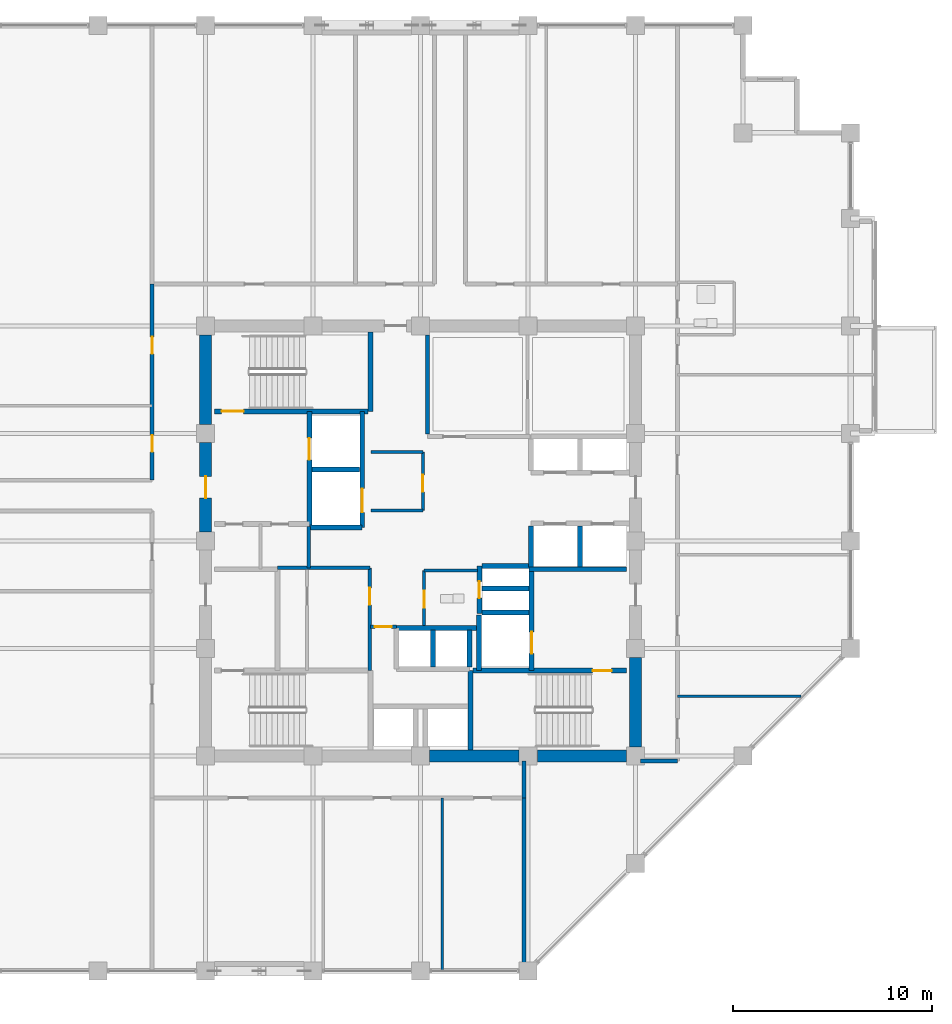
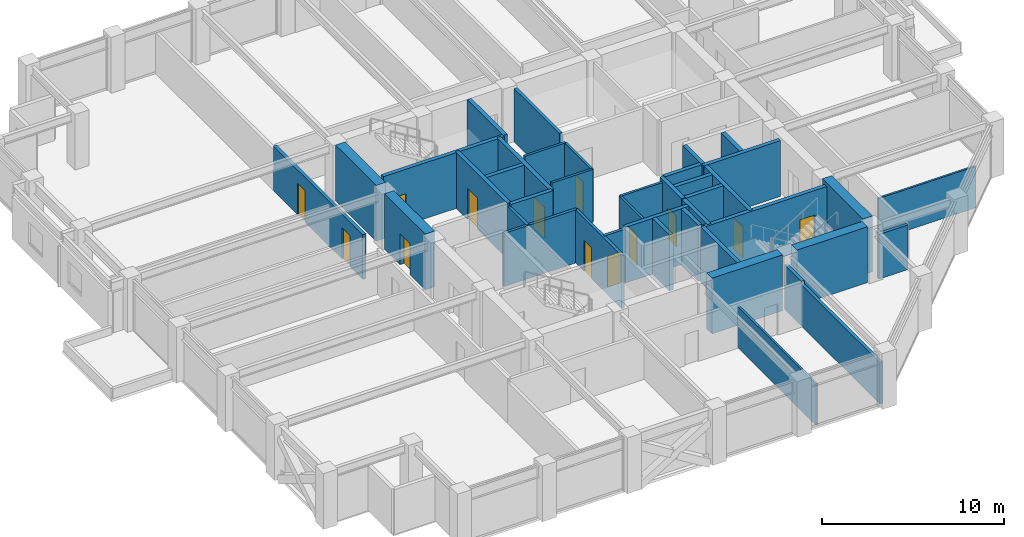
# One storey, part 23 of 28: 41 walls, 13 doors, 13 openings.
"""IFC4 building model written with IfcOpenShell, lengths in metres."""

from ifc_helpers import new_model, si_unit, direction, frame, frame_2d, origin, place, context, subcontext, project, spatial, rectangle, extrude, material, layer, layer_set, type_object, element, fill, save


model = new_model("IFC4")

# Units and contexts
model_context = context("Model", 3, precision=1e-05, world=origin(), true_north=direction((0.0, 1.0)))
body_context = subcontext(model_context, "Body", "Model", "MODEL_VIEW")
ifc_project = project(units=[si_unit("LENGTHUNIT", "METRE"), si_unit("AREAUNIT", "SQUARE_METRE"), si_unit("VOLUMEUNIT", "CUBIC_METRE"), si_unit("PLANEANGLEUNIT", "RADIAN"), si_unit("MASSUNIT", "GRAM", prefix="KILO")], contexts=[model_context])

# Site, building, storey
site_placement = place(None, origin())
site = spatial("IfcSite", under=ifc_project, at=site_placement, CompositionType="ELEMENT")
building_placement = place(site_placement, origin())
building = spatial("IfcBuilding", under=site, at=building_placement, Name="Surkhivell Harbour Commons", CompositionType="ELEMENT")
storey_placement = place(building_placement, frame((0.0, 0.0, 182.25)))
storey = spatial("IfcBuildingStorey", under=building, at=storey_placement, Name="L47", CompositionType="ELEMENT", Elevation=182.25)

# Walls
ifc_material_1 = material(Name="Concrete C60/75", Category="concrete")
ifc_layer_1 = layer(ifc_material_1, 0.60009765625)
ifc_layer_set_1 = layer_set([ifc_layer_1], Name="Concrete C60/75")
wall_type_1 = type_object("IfcWallType", Name="WAL-CORE-600", PredefinedType="SHEAR", material=ifc_layer_set_1)
for number, where, z_axis, x_axis, name in (
    (1, (10.800048828125, -10.340087890625, 0.0), (0.0, 0.0, 1.0), (0.0, 1.0, 0.0), "L47 Core Shear Wall East 1"),
    (2, (0.4599609375, -10.800048828125, 0.0), (0.0, 0.0, 1.0), (1.0, 0.0, 0.0), "L47 Core Shear Wall South 3"),
):
    element("IfcWall", number, at=place(storey_placement, frame(where, z_axis=z_axis, x_axis=x_axis)), inside=storey, type_object=wall_type_1, Name=name, PredefinedType="SHEAR", context=body_context, shape_type="SweptSolid", body=[
        extrude(rectangle(XDim=4.47998046875, YDim=0.60009765625, at=frame_2d((2.239990234375, 0.0))), origin(), (0.0, 0.0, 1.0), 3.75),
    ])

# Wall, opening, door
wall_1_placement = place(storey_placement, frame((-10.800048828125, 0.4599609375, 0.0), z_axis=(0.0, 0.0, 1.0), x_axis=(0.0, 1.0, 0.0)))
wall_1 = element("IfcWall", 3, at=wall_1_placement, inside=storey, type_object=wall_type_1, Name="L47 Core Shear Wall West 3", PredefinedType="SHEAR", context=body_context, shape_type="SweptSolid", body=[
    extrude(rectangle(XDim=4.47998046875, YDim=0.60009765625, at=frame_2d((2.239990234375, 0.0))), origin(), (0.0, 0.0, 1.0), 3.75),
])
opening_1_placement = place(wall_1_placement, frame((1.68994140625, 0.0, 0.0)))
opening_1 = element("IfcOpeningElement", 4, at=opening_1_placement, cuts=wall_1, Name="Opening ID-1", PredefinedType="OPENING", context=body_context, shape_type="SweptSolid", body=[
    extrude(rectangle(XDim=1.10009765625, YDim=2.10009765625, at=frame_2d((0.550048828125, 1.050048828125))), frame((0.0, 0.31005859375, 0.0), z_axis=(0.0, -1.0, 0.0), x_axis=(1.0, 0.0, 0.0)), (0.0, 0.0, 1.0), 0.6201171875),
])
ifc_material_2 = material(Name="Hardwood-veneered fire-rated door leaf", Category="wood")
door_type_1 = type_object("IfcDoorType", Name="DOR-FD120-1100", OperationType="NOTDEFINED", PredefinedType="DOOR", material=ifc_material_2)
door_1_placement = place(opening_1_placement, origin())
door_1 = element("IfcDoor", 5, at=door_1_placement, inside=storey, type_object=door_type_1, Name="L47 Firefighting Lobby 1 Corridor Door", OperationType="SINGLE_SWING_LEFT", OverallHeight=2.10009765625, OverallWidth=1.10009765625, PredefinedType="DOOR", context=body_context, shape_type="SweptSolid", body=[
    extrude(rectangle(XDim=1.10009765625, YDim=2.10009765625, at=frame_2d((0.550048828125, 1.050048828125))), frame((0.0, 0.02490234375, 0.0), z_axis=(0.0, -1.0, 0.0), x_axis=(1.0, 0.0, 0.0)), (0.0, 0.0, 1.0), 0.050048828125),
])
fill(opening_1, door_1)

# Walls
for number, where, z_axis, x_axis, name in (
    (6, (5.860107421875, -10.800048828125, 0.0), (0.0, 0.0, 1.0), (1.0, 0.0, 0.0), "L47 Core Shear Wall South 4"),
    (7, (-10.800048828125, 5.860107421875, 0.0), (0.0, 0.0, 1.0), (0.0, 1.0, 0.0), "L47 Core Shear Wall West 4"),
):
    element("IfcWall", number, at=place(storey_placement, frame(where, z_axis=z_axis, x_axis=x_axis)), inside=storey, type_object=wall_type_1, Name=name, PredefinedType="SHEAR", context=body_context, shape_type="SweptSolid", body=[
        extrude(rectangle(XDim=4.47998046875, YDim=0.60009765625, at=frame_2d((2.239990234375, 0.0))), origin(), (0.0, 0.0, 1.0), 3.75),
    ])
ifc_material_3 = material(Name="Moisture-resistant acoustic stud partition", Category="other")
ifc_layer_2 = layer(ifc_material_3, 0.125)
ifc_layer_set_2 = layer_set([ifc_layer_2], Name="Moisture-resistant acoustic stud partition")
wall_type_2 = type_object("IfcWallType", Name="WAL-INT-125", PredefinedType="PARTITIONING", material=ifc_layer_set_2)
wall_2_placement = place(storey_placement, frame((12.89990234375, -7.800048828125, 0.0), z_axis=(0.0, 0.0, 1.0), x_axis=(1.0, 0.0, 0.0)))
element("IfcWall", 8, at=wall_2_placement, inside=storey, type_object=wall_type_2, Name="L47 East Partition PBOT", PredefinedType="PARTITIONING", context=body_context, shape_type="SweptSolid", body=[
    extrude(rectangle(XDim=6.21533203125, YDim=0.125, at=frame_2d((3.107666015625, 0.0))), origin(), (0.0, 0.0, 1.0), 2.780029296875),
])
wall_3_placement = place(storey_placement, frame((1.090087890625, -21.5400390625, 0.0), z_axis=(0.0, 0.0, 1.0), x_axis=(0.0, 1.0, 0.0)))
element("IfcWall", 9, at=wall_3_placement, inside=storey, type_object=wall_type_2, Name="L47 South Partition P2", PredefinedType="PARTITIONING", context=body_context, shape_type="SweptSolid", body=[
    extrude(rectangle(XDim=8.64013671875, YDim=0.125, at=frame_2d((4.320068359375, 0.0))), origin(), (0.0, 0.0, 1.0), 2.780029296875),
])
ifc_material_4 = material(Name="Twin-stud acoustic fireboard partition", Category="other")
ifc_layer_3 = layer(ifc_material_4, 0.14990234375)
ifc_layer_set_3 = layer_set([ifc_layer_3], Name="Twin-stud acoustic fireboard partition")
wall_type_3 = type_object("IfcWallType", Name="WAL-INT-150", PredefinedType="PARTITIONING", material=ifc_layer_set_3)
wall_4_placement = place(storey_placement, frame((0.179931640625, -1.47998046875, 0.0), z_axis=(0.0, 0.0, 1.0), x_axis=(1.0, 0.0, 0.0)))
element("IfcWall", 10, at=wall_4_placement, inside=storey, type_object=wall_type_3, Name="L47 Core Accessible WC North Wall", PredefinedType="PARTITIONING", context=body_context, shape_type="SweptSolid", body=[
    extrude(rectangle(XDim=2.670166015625, YDim=0.14990234375, at=frame_2d((1.3349609375, 0.0))), origin(), (0.0, 0.0, 1.0), 3.570068359375),
])

# Wall, opening, door
wall_5_placement = place(storey_placement, frame((0.179931640625, -4.25, 0.0), z_axis=(0.0, 0.0, 1.0), x_axis=(0.0, 1.0, 0.0)))
wall_5 = element("IfcWall", 11, at=wall_5_placement, inside=storey, type_object=wall_type_3, Name="L47 Core Accessible WC West Wall", PredefinedType="PARTITIONING", context=body_context, shape_type="SweptSolid", body=[
    extrude(rectangle(XDim=2.77001953125, YDim=0.14990234375, at=frame_2d((1.385009765625, 0.0))), origin(), (0.0, 0.0, 1.0), 3.570068359375),
])
opening_2_placement = place(wall_5_placement, frame((0.89990234375, 0.0, 0.0)))
opening_2 = element("IfcOpeningElement", 12, at=opening_2_placement, cuts=wall_5, Name="Opening ID-6", PredefinedType="OPENING", context=body_context, shape_type="SweptSolid", body=[
    extrude(rectangle(XDim=0.85009765625, YDim=2.10009765625, at=frame_2d((0.425048828125, 1.050048828125))), frame((0.0, 0.0849609375, 0.0), z_axis=(0.0, -1.0, 0.0), x_axis=(1.0, 0.0, 0.0)), (0.0, 0.0, 1.0), 0.169921875),
])
door_type_2 = type_object("IfcDoorType", Name="DOR-FD30-850", OperationType="NOTDEFINED", PredefinedType="DOOR", material=ifc_material_2)
door_2_placement = place(opening_2_placement, origin())
door_2 = element("IfcDoor", 13, at=door_2_placement, inside=storey, type_object=door_type_2, Name="L47 Floor Accessible WC Door", OperationType="SINGLE_SWING_LEFT", OverallHeight=2.10009765625, OverallWidth=0.85009765625, PredefinedType="DOOR", context=body_context, shape_type="SweptSolid", body=[
    extrude(rectangle(XDim=0.85009765625, YDim=2.10009765625, at=frame_2d((0.425048828125, 1.050048828125))), frame((0.0, 0.02490234375, 0.0), z_axis=(0.0, -1.0, 0.0), x_axis=(1.0, 0.0, 0.0)), (0.0, 0.0, 1.0), 0.050048828125),
])
fill(opening_2, door_2)

wall_6_placement = place(storey_placement, frame((0.1201171875, 1.52001953125, 0.0), z_axis=(0.0, 0.0, 1.0), x_axis=(0.0, 1.0, 0.0)))
wall_6 = element("IfcWall", 14, at=wall_6_placement, inside=storey, type_object=wall_type_3, Name="L47 Central Reading East Wall", PredefinedType="PARTITIONING", context=body_context, shape_type="SweptSolid", body=[
    extrude(rectangle(XDim=2.9599609375, YDim=0.14990234375, at=frame_2d((1.47998046875, 0.0))), origin(), (0.0, 0.0, 1.0), 3.570068359375),
])
opening_3_placement = place(wall_6_placement, frame((0.949951171875, 0.0, 0.0)))
opening_3 = element("IfcOpeningElement", 15, at=opening_3_placement, cuts=wall_6, Name="Opening ID-6", PredefinedType="OPENING", context=body_context, shape_type="SweptSolid", body=[
    extrude(rectangle(XDim=0.85009765625, YDim=2.10009765625, at=frame_2d((0.425048828125, 1.050048828125))), frame((0.0, 0.0849609375, 0.0), z_axis=(0.0, -1.0, 0.0), x_axis=(1.0, 0.0, 0.0)), (0.0, 0.0, 1.0), 0.169921875),
])
door_3_placement = place(opening_3_placement, origin())
door_3 = element("IfcDoor", 16, at=door_3_placement, inside=storey, type_object=door_type_2, Name="L47 Central Core Reading Door", OperationType="SINGLE_SWING_RIGHT", OverallHeight=2.10009765625, OverallWidth=0.85009765625, PredefinedType="DOOR", context=body_context, shape_type="SweptSolid", body=[
    extrude(rectangle(XDim=0.85009765625, YDim=2.10009765625, at=frame_2d((0.425048828125, 1.050048828125))), frame((0.0, 0.02490234375, 0.0), z_axis=(0.0, -1.0, 0.0), x_axis=(1.0, 0.0, 0.0)), (0.0, 0.0, 1.0), 0.050048828125),
])
fill(opening_3, door_3)

# Walls
for number, where, z_axis, x_axis, name in (
    (17, (-2.47998046875, 4.47998046875, 0.0), (0.0, 0.0, 1.0), (1.0, 0.0, 0.0), "L47 Central Reading North Wall"),
    (18, (-2.47998046875, 1.52001953125, 0.0), (0.0, 0.0, 1.0), (1.0, 0.0, 0.0), "L47 Central Reading South Wall"),
):
    element("IfcWall", number, at=place(storey_placement, frame(where, z_axis=z_axis, x_axis=x_axis)), inside=storey, type_object=wall_type_3, Name=name, PredefinedType="PARTITIONING", context=body_context, shape_type="SweptSolid", body=[
        extrude(rectangle(XDim=2.60009765625, YDim=0.14990234375, at=frame_2d((1.300048828125, 0.0))), origin(), (0.0, 0.0, 1.0), 3.570068359375),
    ])

# Wall, opening, door
ifc_material_5 = material(Name="High-density acoustic blockwork fire partition", Category="masonry")
ifc_layer_4 = layer(ifc_material_5, 0.175048828125)
ifc_layer_set_4 = layer_set([ifc_layer_4], Name="High-density acoustic blockwork fire partition")
wall_type_4 = type_object("IfcWallType", Name="WAL-INT-175", PredefinedType="PARTITIONING", material=ifc_layer_set_4)
wall_7_placement = place(storey_placement, frame((-2.550048828125, -6.510009765625, 0.0), z_axis=(0.0, 0.0, 1.0), x_axis=(0.0, 1.0, 0.0)))
wall_7 = element("IfcWall", 19, at=wall_7_placement, inside=storey, type_object=wall_type_4, Name="L47 Core Service Bay East Wall", PredefinedType="PARTITIONING", context=body_context, shape_type="SweptSolid", body=[
    extrude(rectangle(XDim=5.159912109375, YDim=0.175048828125, at=frame_2d((2.580078125, 0.0))), origin(), (0.0, 0.0, 1.0), 3.570068359375),
])
opening_4_placement = place(wall_7_placement, frame((3.300048828125, 0.0, 0.0)))
opening_4 = element("IfcOpeningElement", 20, at=opening_4_placement, cuts=wall_7, Name="Opening ID-6", PredefinedType="OPENING", context=body_context, shape_type="SweptSolid", body=[
    extrude(rectangle(XDim=0.85009765625, YDim=2.10009765625, at=frame_2d((0.425048828125, 1.050048828125))), frame((0.0, 0.097412109375, 0.0), z_axis=(0.0, -1.0, 0.0), x_axis=(1.0, 0.0, 0.0)), (0.0, 0.0, 1.0), 0.195068359375),
])
door_4_placement = place(opening_4_placement, origin())
door_4 = element("IfcDoor", 21, at=door_4_placement, inside=storey, type_object=door_type_2, Name="L47 Core Music Door", OperationType="SINGLE_SWING_LEFT", OverallHeight=2.10009765625, OverallWidth=0.85009765625, PredefinedType="DOOR", context=body_context, shape_type="SweptSolid", body=[
    extrude(rectangle(XDim=0.85009765625, YDim=2.10009765625, at=frame_2d((0.425048828125, 1.050048828125))), frame((0.0, 0.02490234375, 0.0), z_axis=(0.0, -1.0, 0.0), x_axis=(1.0, 0.0, 0.0)), (0.0, 0.0, 1.0), 0.050048828125),
])
fill(opening_4, door_4)

# Walls
wall_8_placement = place(storey_placement, frame((-7.179931640625, -1.35009765625, 0.0), z_axis=(0.0, 0.0, 1.0), x_axis=(1.0, 0.0, 0.0)))
element("IfcWall", 22, at=wall_8_placement, inside=storey, type_object=wall_type_4, Name="L47 Core Service Bay North Wall", PredefinedType="PARTITIONING", context=body_context, shape_type="SweptSolid", body=[
    extrude(rectangle(XDim=4.6298828125, YDim=0.175048828125, at=frame_2d((2.31494140625, 0.0))), origin(), (0.0, 0.0, 1.0), 3.570068359375),
])
wall_9_placement = place(storey_placement, frame((-5.6201171875, -1.35009765625, 0.0), z_axis=(0.0, 0.0, 1.0), x_axis=(0.0, 1.0, 0.0)))
element("IfcWall", 23, at=wall_9_placement, inside=storey, type_object=wall_type_4, Name="L47 West Core Bay East Wall", PredefinedType="PARTITIONING", context=body_context, shape_type="SweptSolid", body=[
    extrude(rectangle(XDim=2.070068359375, YDim=0.175048828125, at=frame_2d((1.03515625, 0.0))), origin(), (0.0, 0.0, 1.0), 3.570068359375),
])

# Wall, opening, door
wall_10_placement = place(storey_placement, frame((-2.52001953125, -4.320068359375, 0.0), z_axis=(0.0, 0.0, 1.0), x_axis=(1.0, 0.0, 0.0)))
wall_10 = element("IfcWall", 24, at=wall_10_placement, inside=storey, type_object=wall_type_4, Name="L47 High-Rise Lobby North Portal Wall", PredefinedType="PARTITIONING", context=body_context, shape_type="SweptSolid", body=[
    extrude(rectangle(XDim=1.300048828125, YDim=0.175048828125, at=frame_2d((0.64990234375, 0.0))), origin(), (0.0, 0.0, 1.0), 3.570068359375),
])
opening_5_placement = place(wall_10_placement, frame((0.219970703125, 0.0, 0.0)))
opening_5 = element("IfcOpeningElement", 25, at=opening_5_placement, cuts=wall_10, Name="Opening ID-6", PredefinedType="OPENING", context=body_context, shape_type="SweptSolid", body=[
    extrude(rectangle(XDim=0.85009765625, YDim=2.10009765625, at=frame_2d((0.425048828125, 1.050048828125))), frame((0.0, 0.097412109375, 0.0), z_axis=(0.0, -1.0, 0.0), x_axis=(1.0, 0.0, 0.0)), (0.0, 0.0, 1.0), 0.195068359375),
])
door_5_placement = place(opening_5_placement, origin())
door_5 = element("IfcDoor", 26, at=door_5_placement, inside=storey, type_object=door_type_2, Name="L47 High-Rise Lift Lobby North Door", OperationType="SINGLE_SWING_LEFT", OverallHeight=2.10009765625, OverallWidth=0.85009765625, PredefinedType="DOOR", context=body_context, shape_type="SweptSolid", body=[
    extrude(rectangle(XDim=0.85009765625, YDim=2.10009765625, at=frame_2d((0.425048828125, 1.050048828125))), frame((0.0, 0.02490234375, 0.0), z_axis=(0.0, -1.0, 0.0), x_axis=(1.0, 0.0, 0.0)), (0.0, 0.0, 1.0), 0.050048828125),
])
fill(opening_5, door_5)

# Walls
ifc_material_6 = material(Name="Autoclaved aerated concrete blockwork and fire plaster", Category="masonry")
ifc_layer_5 = layer(ifc_material_6, 0.199951171875)
ifc_layer_set_5 = layer_set([ifc_layer_5], Name="Autoclaved aerated concrete blockwork and fire plaster")
wall_type_5 = type_object("IfcWallType", Name="WAL-INT-200", PredefinedType="PARTITIONING", material=ifc_layer_set_5)
wall_11_placement = place(storey_placement, frame((0.35009765625, 5.360107421875, 0.0), z_axis=(0.0, 0.0, 1.0), x_axis=(0.0, 1.0, 0.0)))
element("IfcWall", 27, at=wall_11_placement, inside=storey, type_object=wall_type_5, Name="L47 Reclaimed Core North Bay West Wall", PredefinedType="PARTITIONING", context=body_context, shape_type="SweptSolid", body=[
    extrude(rectangle(XDim=4.97998046875, YDim=0.199951171875, at=frame_2d((2.489990234375, 0.0))), origin(), (0.0, 0.0, 1.0), 3.570068359375),
])
wall_12_placement = place(storey_placement, frame((5.199951171875, -21.5400390625, 0.0), z_axis=(0.0, 0.0, 1.0), x_axis=(0.0, 1.0, 0.0)))
element("IfcWall", 28, at=wall_12_placement, inside=storey, type_object=wall_type_5, Name="L47 South-East Corner Wall", PredefinedType="PARTITIONING", context=body_context, shape_type="SweptSolid", body=[
    extrude(rectangle(XDim=8.64013671875, YDim=0.199951171875, at=frame_2d((4.320068359375, 0.0))), origin(), (0.0, 0.0, 1.0), 2.780029296875),
])
for number, where, z_axis, x_axis, name in (
    (29, (11.0400390625, -11.0400390625, 0.0), (0.0, 0.0, 1.0), (1.0, 0.0, 0.0), "L47 Corridor East South Closure Wall"),
    (30, (5.199951171875, -12.89990234375, 0.0), (0.0, 0.0, 1.0), (0.0, 1.0, 0.0), "L47 Corridor South End Wall"),
):
    element("IfcWall", number, at=place(storey_placement, frame(where, z_axis=z_axis, x_axis=x_axis)), inside=storey, type_object=wall_type_5, Name=name, PredefinedType="PARTITIONING", context=body_context, shape_type="SweptSolid", body=[
        extrude(rectangle(XDim=1.85986328125, YDim=0.199951171875, at=frame_2d((0.929931640625, 0.0))), origin(), (0.0, 0.0, 1.0), 3.006103515625),
    ])

# Wall, openings, doors
wall_13_placement = place(storey_placement, frame((-13.47998046875, 3.050048828125, 0.0), z_axis=(0.0, 0.0, 1.0), x_axis=(0.0, 1.0, 0.0)))
wall_13 = element("IfcWall", 31, at=wall_13_placement, inside=storey, type_object=wall_type_5, Name="L47 Corridor West-Upper Wall", PredefinedType="PARTITIONING", context=body_context, shape_type="SweptSolid", body=[
    extrude(rectangle(XDim=9.849853515625, YDim=0.199951171875, at=frame_2d((4.9248046875, 0.0))), origin(), (0.0, 0.0, 1.0), 3.006103515625),
])
opening_6_placement = place(wall_13_placement, frame((1.419921875, 0.0, 0.0)))
opening_6 = element("IfcOpeningElement", 32, at=opening_6_placement, cuts=wall_13, Name="Opening ID-6", PredefinedType="OPENING", context=body_context, shape_type="SweptSolid", body=[
    extrude(rectangle(XDim=0.85009765625, YDim=2.10009765625, at=frame_2d((0.425048828125, 1.050048828125))), frame((0.0, 0.10986328125, 0.0), z_axis=(0.0, -1.0, 0.0), x_axis=(1.0, 0.0, 0.0)), (0.0, 0.0, 1.0), 0.219970703125),
])
opening_7_placement = place(wall_13_placement, frame((6.344970703125, 0.0, 0.0)))
opening_7 = element("IfcOpeningElement", 33, at=opening_7_placement, cuts=wall_13, Name="Opening ID-6", PredefinedType="OPENING", context=body_context, shape_type="SweptSolid", body=[
    extrude(rectangle(XDim=0.85009765625, YDim=2.10009765625, at=frame_2d((0.425048828125, 1.050048828125))), frame((0.0, 0.10986328125, 0.0), z_axis=(0.0, -1.0, 0.0), x_axis=(1.0, 0.0, 0.0)), (0.0, 0.0, 1.0), 0.219970703125),
])
door_6_placement = place(opening_6_placement, origin())
door_6 = element("IfcDoor", 34, at=door_6_placement, inside=storey, type_object=door_type_2, Name="L47 Harbour Reading Library North-West Door", OperationType="SINGLE_SWING_LEFT", OverallHeight=2.10009765625, OverallWidth=0.85009765625, PredefinedType="DOOR", context=body_context, shape_type="SweptSolid", body=[
    extrude(rectangle(XDim=0.85009765625, YDim=2.10009765625, at=frame_2d((0.425048828125, 1.050048828125))), frame((0.0, 0.02490234375, 0.0), z_axis=(0.0, -1.0, 0.0), x_axis=(1.0, 0.0, 0.0)), (0.0, 0.0, 1.0), 0.050048828125),
])
fill(opening_6, door_6)
door_7_placement = place(opening_7_placement, origin())
door_7 = element("IfcDoor", 35, at=door_7_placement, inside=storey, type_object=door_type_2, Name="L47 Communal Dining Hall North-West Door", OperationType="SINGLE_SWING_RIGHT", OverallHeight=2.10009765625, OverallWidth=0.85009765625, PredefinedType="DOOR", context=body_context, shape_type="SweptSolid", body=[
    extrude(rectangle(XDim=0.85009765625, YDim=2.10009765625, at=frame_2d((0.425048828125, 1.050048828125))), frame((0.0, 0.02490234375, 0.0), z_axis=(0.0, -1.0, 0.0), x_axis=(1.0, 0.0, 0.0)), (0.0, 0.0, 1.0), 0.050048828125),
])
fill(opening_7, door_7)

# Wall, opening, door
ifc_material_7 = material(Name="Concrete C50/60", Category="concrete")
ifc_layer_6 = layer(ifc_material_7, 0.25)
ifc_layer_set_6 = layer_set([ifc_layer_6], Name="Concrete C50/60")
wall_type_6 = type_object("IfcWallType", Name="WAL-SHAFT-250", PredefinedType="SHEAR", material=ifc_layer_set_6)
wall_14_placement = place(storey_placement, frame((-5.580078125, 0.719970703125, 0.0), z_axis=(0.0, 0.0, 1.0), x_axis=(0.0, 1.0, 0.0)))
wall_14 = element("IfcWall", 36, at=wall_14_placement, inside=storey, type_object=wall_type_6, Name="L47 Firefighting Lobby 1 East Shaft Wall", PredefinedType="SHEAR", context=body_context, shape_type="SweptSolid", body=[
    extrude(rectangle(XDim=5.7900390625, YDim=0.25, at=frame_2d((2.89501953125, 0.0))), origin(), (0.0, 0.0, 1.0), 3.75),
])
opening_8_placement = place(wall_14_placement, frame((3.35009765625, 0.0, 0.0)))
opening_8 = element("IfcOpeningElement", 37, at=opening_8_placement, cuts=wall_14, Name="Opening LD-1", PredefinedType="OPENING", context=body_context, shape_type="SweptSolid", body=[
    extrude(rectangle(XDim=1.10009765625, YDim=2.10009765625, at=frame_2d((0.550048828125, 1.050048828125))), frame((0.0, 0.135009765625, 0.0), z_axis=(0.0, -1.0, 0.0), x_axis=(1.0, 0.0, 0.0)), (0.0, 0.0, 1.0), 0.27001953125),
])
ifc_material_8 = material(Name="Brushed stainless steel S355", Category="steel")
door_type_3 = type_object("IfcDoorType", Name="DOR-LD-1100", OperationType="SLIDING_TO_LEFT", PredefinedType="DOOR", material=ifc_material_8)
door_8_placement = place(opening_8_placement, origin())
door_8 = element("IfcDoor", 38, at=door_8_placement, inside=storey, type_object=door_type_3, Name="L47 Lift Landing Door LD-FFL1", OperationType="SLIDING_TO_LEFT", OverallHeight=2.10009765625, OverallWidth=1.10009765625, PredefinedType="DOOR", context=body_context, shape_type="SweptSolid", body=[
    extrude(rectangle(XDim=1.10009765625, YDim=2.10009765625, at=frame_2d((0.550048828125, 1.050048828125))), frame((0.0, 0.02490234375, 0.0), z_axis=(0.0, -1.0, 0.0), x_axis=(1.0, 0.0, 0.0)), (0.0, 0.0, 1.0), 0.050048828125),
])
fill(opening_8, door_8)

# Walls
wall_15_placement = place(storey_placement, frame((2.929931640625, -6.510009765625, 0.0), z_axis=(0.0, 0.0, 1.0), x_axis=(0.0, 1.0, 0.0)))
element("IfcWall", 39, at=wall_15_placement, inside=storey, type_object=wall_type_6, Name="L47 FFL2 West Shaft Wall", PredefinedType="SHEAR", context=body_context, shape_type="SweptSolid", body=[
    extrude(rectangle(XDim=2.7900390625, YDim=0.25, at=frame_2d((1.39501953125, 0.0))), origin(), (0.0, 0.0, 1.0), 3.75),
])
wall_16_placement = place(storey_placement, frame((5.43994140625, -1.419921875, 0.0), z_axis=(0.0, 0.0, 1.0), x_axis=(1.0, 0.0, 0.0)))
element("IfcWall", 40, at=wall_16_placement, inside=storey, type_object=wall_type_6, Name="L47 Firefighting Lobby 2 North Wall", PredefinedType="SHEAR", context=body_context, shape_type="SweptSolid", body=[
    extrude(rectangle(XDim=4.900146484375, YDim=0.25, at=frame_2d((2.4501953125, 0.0))), origin(), (0.0, 0.0, 1.0), 3.75),
])
wall_17_placement = place(storey_placement, frame((3.080078125, -3.60009765625, 0.0), z_axis=(0.0, 0.0, 1.0), x_axis=(1.0, 0.0, 0.0)))
element("IfcWall", 41, at=wall_17_placement, inside=storey, type_object=wall_type_6, Name="L47 FFL2 North Shaft Wall", PredefinedType="SHEAR", context=body_context, shape_type="SweptSolid", body=[
    extrude(rectangle(XDim=2.369873046875, YDim=0.25, at=frame_2d((1.18505859375, 0.0))), origin(), (0.0, 0.0, 1.0), 3.75),
])

# Wall, opening, door
wall_18_placement = place(storey_placement, frame((5.580078125, -6.510009765625, 0.0), z_axis=(0.0, 0.0, 1.0), x_axis=(0.0, 1.0, 0.0)))
wall_18 = element("IfcWall", 42, at=wall_18_placement, inside=storey, type_object=wall_type_6, Name="L47 Firefighting Lobby 2 West Shaft Wall", PredefinedType="SHEAR", context=body_context, shape_type="SweptSolid", body=[
    extrude(rectangle(XDim=5.090087890625, YDim=0.25, at=frame_2d((2.544921875, 0.0))), origin(), (0.0, 0.0, 1.0), 3.75),
])
opening_9_placement = place(wall_18_placement, frame((0.85009765625, 0.0, 0.0)))
opening_9 = element("IfcOpeningElement", 43, at=opening_9_placement, cuts=wall_18, Name="Opening LD-1", PredefinedType="OPENING", context=body_context, shape_type="SweptSolid", body=[
    extrude(rectangle(XDim=1.10009765625, YDim=2.10009765625, at=frame_2d((0.550048828125, 1.050048828125))), frame((0.0, 0.135009765625, 0.0), z_axis=(0.0, -1.0, 0.0), x_axis=(1.0, 0.0, 0.0)), (0.0, 0.0, 1.0), 0.27001953125),
])
door_9_placement = place(opening_9_placement, origin())
door_9 = element("IfcDoor", 44, at=door_9_placement, inside=storey, type_object=door_type_3, Name="L47 Lift Landing Door LD-FFL2", OperationType="SLIDING_TO_RIGHT", OverallHeight=2.10009765625, OverallWidth=1.10009765625, PredefinedType="DOOR", context=body_context, shape_type="SweptSolid", body=[
    extrude(rectangle(XDim=1.10009765625, YDim=2.10009765625, at=frame_2d((0.550048828125, 1.050048828125))), frame((0.0, 0.02490234375, 0.0), z_axis=(0.0, -1.0, 0.0), x_axis=(1.0, 0.0, 0.0)), (0.0, 0.0, 1.0), 0.050048828125),
])
fill(opening_9, door_9)

# Walls
for number, where, z_axis, x_axis, name in (
    (45, (0.6201171875, -6.340087890625, 0.0), (0.0, 0.0, 1.0), (0.0, 1.0, 0.0), "L47 High-Rise Side Wall N"),
    (46, (2.449951171875, -6.340087890625, 0.0), (0.0, 0.0, 1.0), (0.0, 1.0, 0.0), "L47 High-Rise Side Wall N"),
):
    element("IfcWall", number, at=place(storey_placement, frame(where, z_axis=z_axis, x_axis=x_axis)), inside=storey, type_object=wall_type_6, Name=name, PredefinedType="SHEAR", context=body_context, shape_type="SweptSolid", body=[
        extrude(rectangle(XDim=1.880126953125, YDim=0.25, at=frame_2d((0.93994140625, 0.0))), origin(), (0.0, 0.0, 1.0), 3.75),
    ])
wall_19_placement = place(storey_placement, frame((-1.219970703125, -4.360107421875, 0.0), z_axis=(0.0, 0.0, 1.0), x_axis=(1.0, 0.0, 0.0)))
element("IfcWall", 47, at=wall_19_placement, inside=storey, type_object=wall_type_6, Name="L47 High-Rise North Back Shaft Wall", PredefinedType="SHEAR", context=body_context, shape_type="SweptSolid", body=[
    extrude(rectangle(XDim=4.030029296875, YDim=0.25, at=frame_2d((2.01513671875, 0.0))), origin(), (0.0, 0.0, 1.0), 3.75),
])
for number, where, z_axis, x_axis, name in (
    (48, (5.550048828125, -1.300048828125, 0.0), (0.0, 0.0, 1.0), (0.0, 1.0, 0.0), "L47 Mid-Rise Shaft Side Wall S"),
    (49, (8.0, -1.300048828125, 0.0), (0.0, 0.0, 1.0), (0.0, 1.0, 0.0), "L47 Mid-Rise Shaft Side Wall S"),
):
    element("IfcWall", number, at=place(storey_placement, frame(where, z_axis=z_axis, x_axis=x_axis)), inside=storey, type_object=wall_type_6, Name=name, PredefinedType="SHEAR", context=body_context, shape_type="SweptSolid", body=[
        extrude(rectangle(XDim=2.0400390625, YDim=0.25, at=frame_2d((1.02001953125, 0.0))), origin(), (0.0, 0.0, 1.0), 3.75),
    ])
for number, where, z_axis, x_axis, name in (
    (50, (3.080078125, -2.3798828125, 0.0), (0.0, 0.0, 1.0), (1.0, 0.0, 0.0), "L47 Riser Divider Wall"),
    (51, (3.080078125, -1.25, 0.0), (0.0, 0.0, 1.0), (1.0, 0.0, 0.0), "L47 Riser North Wall"),
):
    element("IfcWall", number, at=place(storey_placement, frame(where, z_axis=z_axis, x_axis=x_axis)), inside=storey, type_object=wall_type_6, Name=name, PredefinedType="SHEAR", context=body_context, shape_type="SweptSolid", body=[
        extrude(rectangle(XDim=2.369873046875, YDim=0.25, at=frame_2d((1.18505859375, 0.0))), origin(), (0.0, 0.0, 1.0), 3.75),
    ])

# Wall, opening, door
wall_20_placement = place(storey_placement, frame((2.949951171875, -3.64990234375, 0.0), z_axis=(0.0, 0.0, 1.0), x_axis=(0.0, 1.0, 0.0)))
wall_20 = element("IfcWall", 52, at=wall_20_placement, inside=storey, type_object=wall_type_6, Name="L47 Riser Shaft West Wall", PredefinedType="SHEAR", context=body_context, shape_type="SweptSolid", body=[
    extrude(rectangle(XDim=2.39990234375, YDim=0.25, at=frame_2d((1.199951171875, 0.0))), origin(), (0.0, 0.0, 1.0), 3.75),
])
opening_10_placement = place(wall_20_placement, frame((0.77490234375, 0.0, 0.0)))
opening_10 = element("IfcOpeningElement", 53, at=opening_10_placement, cuts=wall_20, Name="Opening ID-6", PredefinedType="OPENING", context=body_context, shape_type="SweptSolid", body=[
    extrude(rectangle(XDim=0.85009765625, YDim=2.10009765625, at=frame_2d((0.425048828125, 1.050048828125))), frame((0.0, 0.135009765625, 0.0), z_axis=(0.0, -1.0, 0.0), x_axis=(1.0, 0.0, 0.0)), (0.0, 0.0, 1.0), 0.27001953125),
])
door_10_placement = place(opening_10_placement, origin())
door_10 = element("IfcDoor", 54, at=door_10_placement, inside=storey, type_object=door_type_2, Name="L47 Electrical Riser Access Door", OperationType="SINGLE_SWING_LEFT", OverallHeight=2.10009765625, OverallWidth=0.85009765625, PredefinedType="DOOR", context=body_context, shape_type="SweptSolid", body=[
    extrude(rectangle(XDim=0.85009765625, YDim=2.10009765625, at=frame_2d((0.425048828125, 1.050048828125))), frame((0.0, 0.02490234375, 0.0), z_axis=(0.0, -1.0, 0.0), x_axis=(1.0, 0.0, 0.0)), (0.0, 0.0, 1.0), 0.050048828125),
])
fill(opening_10, door_10)

# Wall
wall_21_placement = place(storey_placement, frame((-2.510009765625, 6.510009765625, 0.0), z_axis=(0.0, 0.0, 1.0), x_axis=(0.0, 1.0, 0.0)))
element("IfcWall", 55, at=wall_21_placement, inside=storey, type_object=wall_type_6, Name="L47 Stair ST1 East Shear Wall", PredefinedType="SHEAR", context=body_context, shape_type="SweptSolid", body=[
    extrude(rectangle(XDim=3.989990234375, YDim=0.25, at=frame_2d((1.9951171875, 0.0))), origin(), (0.0, 0.0, 1.0), 3.75),
])

# Wall, opening, door
wall_22_placement = place(storey_placement, frame((-10.340087890625, 6.510009765625, 0.0), z_axis=(0.0, 0.0, 1.0), x_axis=(1.0, 0.0, 0.0)))
wall_22 = element("IfcWall", 56, at=wall_22_placement, inside=storey, type_object=wall_type_6, Name="L47 Stair ST1 South Shear Wall", PredefinedType="SHEAR", context=body_context, shape_type="SweptSolid", body=[
    extrude(rectangle(XDim=7.7001953125, YDim=0.25, at=frame_2d((3.85009765625, 0.0))), origin(), (0.0, 0.0, 1.0), 3.75),
])
opening_11_placement = place(wall_22_placement, frame((0.35009765625, 0.0, 0.0)))
opening_11 = element("IfcOpeningElement", 57, at=opening_11_placement, cuts=wall_22, Name="Opening ID-2", PredefinedType="OPENING", context=body_context, shape_type="SweptSolid", body=[
    extrude(rectangle(XDim=1.10009765625, YDim=2.10009765625, at=frame_2d((0.550048828125, 1.050048828125))), frame((0.0, 0.135009765625, 0.0), z_axis=(0.0, -1.0, 0.0), x_axis=(1.0, 0.0, 0.0)), (0.0, 0.0, 1.0), 0.27001953125),
])
door_type_4 = type_object("IfcDoorType", Name="DOR-FD60-1100", OperationType="NOTDEFINED", PredefinedType="DOOR", material=ifc_material_2)
door_11_placement = place(opening_11_placement, origin())
door_11 = element("IfcDoor", 58, at=door_11_placement, inside=storey, type_object=door_type_4, Name="L47 Stair ST1 Exit Door", OperationType="SINGLE_SWING_LEFT", OverallHeight=2.10009765625, OverallWidth=1.10009765625, PredefinedType="DOOR", context=body_context, shape_type="SweptSolid", body=[
    extrude(rectangle(XDim=1.10009765625, YDim=2.10009765625, at=frame_2d((0.550048828125, 1.050048828125))), frame((0.0, 0.02490234375, 0.0), z_axis=(0.0, -1.0, 0.0), x_axis=(1.0, 0.0, 0.0)), (0.0, 0.0, 1.0), 0.050048828125),
])
fill(opening_11, door_11)

wall_23_placement = place(storey_placement, frame((2.639892578125, -6.510009765625, 0.0), z_axis=(0.0, 0.0, 1.0), x_axis=(1.0, 0.0, 0.0)))
wall_23 = element("IfcWall", 59, at=wall_23_placement, inside=storey, type_object=wall_type_6, Name="L47 Stair ST2 North Shear Wall", PredefinedType="SHEAR", context=body_context, shape_type="SweptSolid", body=[
    extrude(rectangle(XDim=7.7001953125, YDim=0.25, at=frame_2d((3.85009765625, 0.0))), origin(), (0.0, 0.0, 1.0), 3.75),
])
opening_12_placement = place(wall_23_placement, frame((6.0, 0.0, 0.0)))
opening_12 = element("IfcOpeningElement", 60, at=opening_12_placement, cuts=wall_23, Name="Opening ID-4", PredefinedType="OPENING", context=body_context, shape_type="SweptSolid", body=[
    extrude(rectangle(XDim=0.949951171875, YDim=2.10009765625, at=frame_2d((0.47509765625, 1.050048828125))), frame((0.0, 0.135009765625, 0.0), z_axis=(0.0, -1.0, 0.0), x_axis=(1.0, 0.0, 0.0)), (0.0, 0.0, 1.0), 0.27001953125),
])
door_type_5 = type_object("IfcDoorType", Name="DOR-FD60-950", OperationType="NOTDEFINED", PredefinedType="DOOR", material=ifc_material_2)
door_12_placement = place(opening_12_placement, origin())
door_12 = element("IfcDoor", 61, at=door_12_placement, inside=storey, type_object=door_type_5, Name="L47 Stair ST2 Exit Door", OperationType="SINGLE_SWING_RIGHT", OverallHeight=2.10009765625, OverallWidth=0.949951171875, PredefinedType="DOOR", context=body_context, shape_type="SweptSolid", body=[
    extrude(rectangle(XDim=0.949951171875, YDim=2.10009765625, at=frame_2d((0.47509765625, 1.050048828125))), frame((0.0, 0.02490234375, 0.0), z_axis=(0.0, -1.0, 0.0), x_axis=(1.0, 0.0, 0.0)), (0.0, 0.0, 1.0), 0.050048828125),
])
fill(opening_12, door_12)

# Wall
wall_24_placement = place(storey_placement, frame((2.510009765625, -10.5, 0.0), z_axis=(0.0, 0.0, 1.0), x_axis=(0.0, 1.0, 0.0)))
element("IfcWall", 62, at=wall_24_placement, inside=storey, type_object=wall_type_6, Name="L47 Stair ST2 West Shear Wall", PredefinedType="SHEAR", context=body_context, shape_type="SweptSolid", body=[
    extrude(rectangle(XDim=3.989990234375, YDim=0.25, at=frame_2d((1.9951171875, 0.0))), origin(), (0.0, 0.0, 1.0), 3.75),
])

# Wall, opening, door
wall_25_placement = place(storey_placement, frame((-2.929931640625, 0.679931640625, 0.0), z_axis=(0.0, 0.0, 1.0), x_axis=(0.0, 1.0, 0.0)))
wall_25 = element("IfcWall", 63, at=wall_25_placement, inside=storey, type_object=wall_type_6, Name="L47 Service and Fire Lift East Shaft Wall", PredefinedType="SHEAR", context=body_context, shape_type="SweptSolid", body=[
    extrude(rectangle(XDim=5.830078125, YDim=0.25, at=frame_2d((2.9150390625, 0.0))), origin(), (0.0, 0.0, 1.0), 3.75),
])
opening_13_placement = place(wall_25_placement, frame((0.75, 0.0, 0.0)))
opening_13 = element("IfcOpeningElement", 64, at=opening_13_placement, cuts=wall_25, Name="Opening LD-2", PredefinedType="OPENING", context=body_context, shape_type="SweptSolid", body=[
    extrude(rectangle(XDim=1.199951171875, YDim=2.10009765625, at=frame_2d((0.60009765625, 1.050048828125))), frame((0.0, 0.135009765625, 0.0), z_axis=(0.0, -1.0, 0.0), x_axis=(1.0, 0.0, 0.0)), (0.0, 0.0, 1.0), 0.27001953125),
])
door_type_6 = type_object("IfcDoorType", Name="DOR-LD-1200", OperationType="SLIDING_TO_LEFT", PredefinedType="DOOR", material=ifc_material_8)
door_13_placement = place(opening_13_placement, origin())
door_13 = element("IfcDoor", 65, at=door_13_placement, inside=storey, type_object=door_type_6, Name="L47 Lift Landing Door LD-SVL1", OperationType="SLIDING_TO_LEFT", OverallHeight=2.10009765625, OverallWidth=1.199951171875, PredefinedType="DOOR", context=body_context, shape_type="SweptSolid", body=[
    extrude(rectangle(XDim=1.199951171875, YDim=2.10009765625, at=frame_2d((0.60009765625, 1.050048828125))), frame((0.0, 0.02490234375, 0.0), z_axis=(0.0, -1.0, 0.0), x_axis=(1.0, 0.0, 0.0)), (0.0, 0.0, 1.0), 0.050048828125),
])
fill(opening_13, door_13)

# Walls
wall_26_placement = place(storey_placement, frame((-5.449951171875, 3.60009765625, 0.0), z_axis=(0.0, 0.0, 1.0), x_axis=(1.0, 0.0, 0.0)))
element("IfcWall", 66, at=wall_26_placement, inside=storey, type_object=wall_type_6, Name="L47 FFL1/SVL1 Shaft Divider", PredefinedType="SHEAR", context=body_context, shape_type="SweptSolid", body=[
    extrude(rectangle(XDim=2.389892578125, YDim=0.25, at=frame_2d((1.19482421875, 0.0))), origin(), (0.0, 0.0, 1.0), 3.75),
])
wall_27_placement = place(storey_placement, frame((-5.580078125, 0.679931640625, 0.0), z_axis=(0.0, 0.0, 1.0), x_axis=(1.0, 0.0, 0.0)))
element("IfcWall", 67, at=wall_27_placement, inside=storey, type_object=wall_type_6, Name="L47 SVL1 South Shaft Wall", PredefinedType="SHEAR", context=body_context, shape_type="SweptSolid", body=[
    extrude(rectangle(XDim=2.650146484375, YDim=0.25, at=frame_2d((1.3251953125, 0.0))), origin(), (0.0, 0.0, 1.0), 3.75),
])

save(model, "model.ifc")
